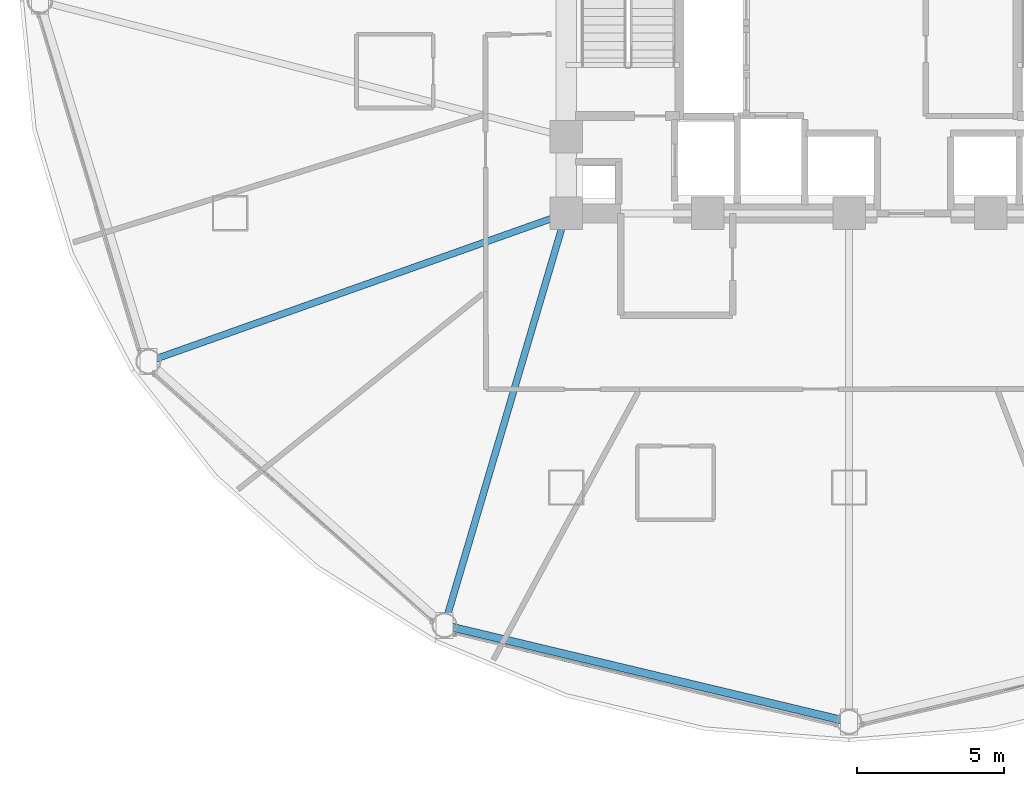
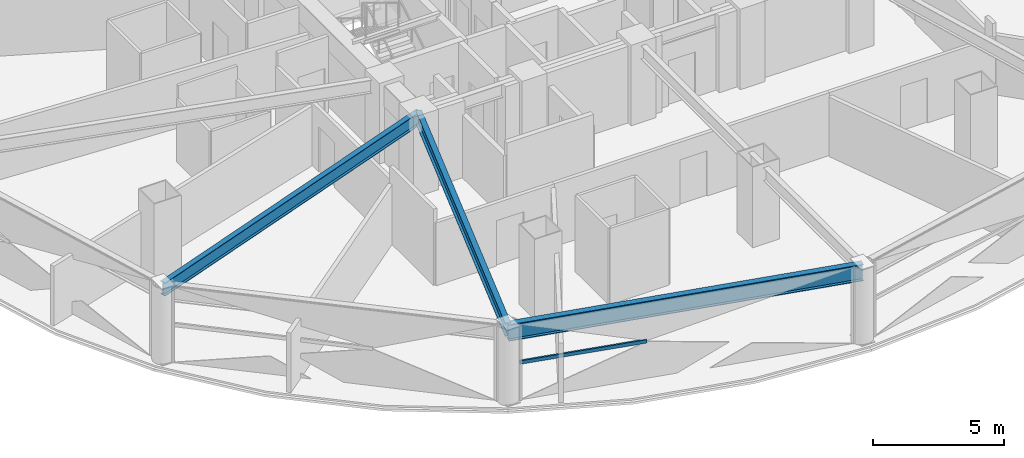
# One storey, part 3 of 29: 3 beams, 1 member, 1 element without a shape of its own.
"""IFC4 building model written with IfcOpenShell, lengths in metres."""

from ifc_helpers import new_model, si_unit, direction, frame, origin, origin_2d, place, context, subcontext, project, spatial, hollow_rectangle, i_section, extrude, material, layer, layer_set, material_profile, profile_set, type_object, element, aggregate, save


model = new_model("IFC4")

# Units and contexts
model_context = context("Model", 3, precision=1e-05, world=origin(), true_north=direction((0.0, 1.0)))
body_context = subcontext(model_context, "Body", "Model", "MODEL_VIEW")
ifc_project = project(units=[si_unit("LENGTHUNIT", "METRE"), si_unit("AREAUNIT", "SQUARE_METRE"), si_unit("VOLUMEUNIT", "CUBIC_METRE"), si_unit("PLANEANGLEUNIT", "RADIAN"), si_unit("MASSUNIT", "GRAM", prefix="KILO")], contexts=[model_context])

# Site, building, storey
site_placement = place(None, origin())
site = spatial("IfcSite", under=ifc_project, at=site_placement, CompositionType="ELEMENT")
building_placement = place(site_placement, origin())
building = spatial("IfcBuilding", under=site, at=building_placement, Name="Vantalir Tower", CompositionType="ELEMENT")
storey_placement = place(building_placement, frame((0.0, 0.0, 60.75)))
storey = spatial("IfcBuildingStorey", under=building, at=storey_placement, Name="L14", CompositionType="ELEMENT", Elevation=60.75)

# Beams
ifc_material_1 = material(Name="Steel S355", Category="steel")
ifc_material_profile_1 = material_profile(ifc_material_1, i_section(OverallWidth=0.22998046875, OverallDepth=0.616943359375, WebThickness=0.01318359375, FlangeThickness=0.022216796875, at=origin_2d()), Name="Steel S355")
ifc_profile_set_1 = profile_set([ifc_material_profile_1], Name="Steel S355")
beam_type_1 = type_object("IfcBeamType", Name="BM-RB-610x229", PredefinedType="BEAM", material=ifc_profile_set_1)
beam_1_placement = place(storey_placement, frame((7.72705078125, 12.77392578125, 3.261962890625), z_axis=(0.942489624412, 0.334235407872, 0.0), x_axis=(-0.334235407872, 0.942489624412, 0.0)))
element("IfcBeam", 1, at=beam_1_placement, inside=storey, type_object=beam_type_1, Name="L14 Radial Floor Beam 08", PredefinedType="BEAM", context=body_context, shape_type="SweptSolid", body=[
    extrude(i_section(OverallWidth=0.22998046875, OverallDepth=0.616943359375, WebThickness=0.01318359375, FlangeThickness=0.022216796875, at=origin_2d()), origin(), (0.0, 0.0, 1.0), 15.03759765625),
])
beam_2_placement = place(storey_placement, frame((17.77392578125, 3.824951171875, 3.261962890625), z_axis=(0.28315491657, 0.959074185463, 0.0), x_axis=(-0.959074185463, 0.28315491657, 0.0)))
element("IfcBeam", 2, at=beam_2_placement, inside=storey, type_object=beam_type_1, Name="L14 Radial Floor Beam 09", PredefinedType="BEAM", context=body_context, shape_type="SweptSolid", body=[
    extrude(i_section(OverallWidth=0.22998046875, OverallDepth=0.616943359375, WebThickness=0.01318359375, FlangeThickness=0.022216796875, at=origin_2d()), origin(), (0.0, 0.0, 1.0), 14.571533203125),
])
ifc_material_2 = material(Name="Steel S460", Category="steel")
ifc_material_profile_2 = material_profile(ifc_material_2, i_section(OverallWidth=0.26806640625, OverallDepth=0.77001953125, WebThickness=0.015625, FlangeThickness=0.025390625, at=origin_2d()), Name="Steel S460")
ifc_profile_set_2 = profile_set([ifc_material_profile_2], Name="Steel S460")
beam_type_2 = type_object("IfcBeamType", Name="BM-RG-762x267", PredefinedType="USERDEFINED", material=ifc_profile_set_2)
beam_3_placement = place(storey_placement, frame((17.77392578125, 3.824951171875, 3.18505859375), z_axis=(0.97268207428, -0.232141298294, 0.0), x_axis=(0.232141298294, 0.97268207428, 0.0)))
element("IfcBeam", 3, at=beam_3_placement, inside=storey, type_object=beam_type_2, Name="L14 Circumferential Ring Girder 09", ObjectType="GIRDER", PredefinedType="USERDEFINED", context=body_context, shape_type="SweptSolid", body=[
    extrude(i_section(OverallWidth=0.26806640625, OverallDepth=0.77001953125, WebThickness=0.015625, FlangeThickness=0.025390625, at=origin_2d()), origin(), (0.0, 0.0, 1.0), 14.111572265625),
])

# Curtain wall, member
ifc_material_3 = material(Name="Champagne-silver PVDF aluminium and double-silver Low-E glass", Category="aluminium")
ifc_layer = layer(ifc_material_3, 0.18994140625)
ifc_layer_set = layer_set([ifc_layer], Name="Champagne-silver PVDF aluminium and double-silver Low-E glass")
curtain_wall_type = type_object("IfcCurtainWallType", Name="CW-DIAMOND-Z1", PredefinedType="USERDEFINED", material=ifc_layer_set)
curtain_wall_placement = place(storey_placement, origin())
curtain_wall = element("IfcCurtainWall", 4, at=curtain_wall_placement, inside=storey, type_object=curtain_wall_type, Name="L14 Quilted Pyramid-Diamond Curtain Wall S09", ObjectType="UNITISED CURTAIN WALL", PredefinedType="USERDEFINED")
ifc_material_4 = material(Name="Champagne-silver PVDF aluminium 6063-T6", Category="aluminium")
ifc_material_profile_3 = material_profile(ifc_material_4, hollow_rectangle(XDim=0.074951171875, YDim=0.159912109375, WallThickness=0.00390625, at=origin_2d()), Name="Champagne-silver PVDF aluminium 6063-T6")
ifc_profile_set_3 = profile_set([ifc_material_profile_3], Name="Champagne-silver PVDF aluminium 6063-T6")
member_type = type_object("IfcMemberType", Name="CWT-160x75", PredefinedType="USERDEFINED", material=ifc_profile_set_3)
member_placement = place(storey_placement, frame((18.135986328125, 3.551025390625, 1.784912109375), z_axis=(0.971522786839, -0.236946142936, 0.0), x_axis=(0.236946142936, 0.971522786839, 0.0)))
member = element("IfcMember", 5, at=member_placement, type_object=member_type, Name="CW-L14-S09 Pyramid Fold Ridge Transom", ObjectType="TRANSOM", PredefinedType="USERDEFINED", context=body_context, shape_type="SweptSolid", body=[
    extrude(hollow_rectangle(XDim=0.074951171875, YDim=0.159912109375, WallThickness=0.00390625, at=origin_2d()), origin(), (0.0, 0.0, 1.0), 5.03955078125),
])
aggregate(curtain_wall, [member])

save(model, "model.ifc")
